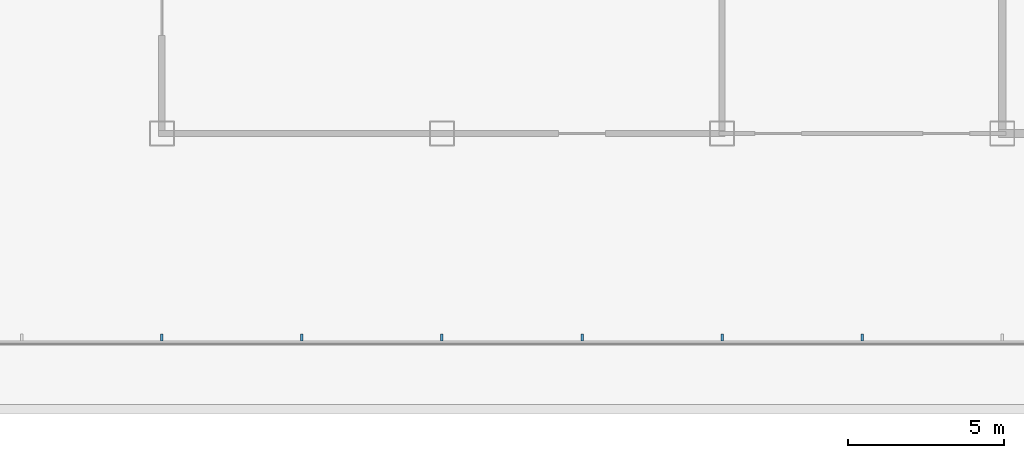
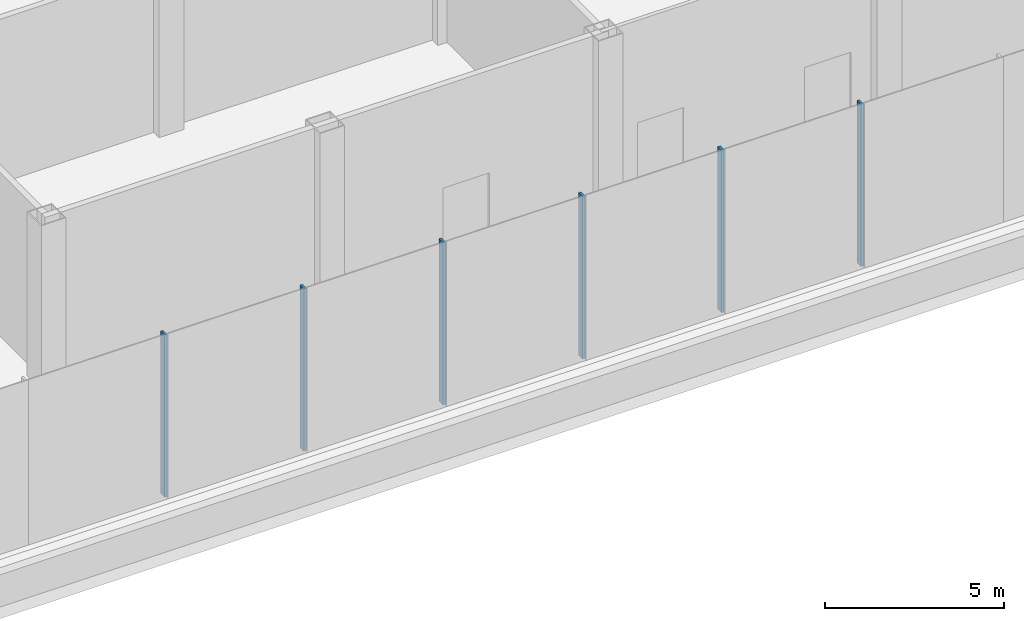
# One storey, part 4 of 38: 6 members, 1 element without a shape of its own.
"""IFC4 building model written with IfcOpenShell, lengths in metres."""

from ifc_helpers import new_model, si_unit, direction, frame, origin, origin_2d, place, context, subcontext, project, spatial, rectangle, extrude, material, layer, layer_set, material_profile, profile_set, type_object, element, aggregate, save


model = new_model("IFC4")

# Units and contexts
model_context = context("Model", 3, precision=1e-05, world=origin(), true_north=direction((0.0, 1.0)))
body_context = subcontext(model_context, "Body", "Model", "MODEL_VIEW")
ifc_project = project(units=[si_unit("LENGTHUNIT", "METRE"), si_unit("AREAUNIT", "SQUARE_METRE"), si_unit("VOLUMEUNIT", "CUBIC_METRE"), si_unit("PLANEANGLEUNIT", "RADIAN"), si_unit("MASSUNIT", "GRAM", prefix="KILO")], contexts=[model_context])

# Site, building, storey
site_placement = place(None, origin())
site = spatial("IfcSite", under=ifc_project, at=site_placement, CompositionType="ELEMENT")
building_placement = place(site_placement, origin())
building = spatial("IfcBuilding", under=site, at=building_placement, Name="Shamsa Quay Exchange Towers", CompositionType="ELEMENT")
storey_placement = place(building_placement, frame((0.0, 0.0, 12.5)))
storey = spatial("IfcBuildingStorey", under=building, at=storey_placement, Name="L02", CompositionType="ELEMENT", Elevation=12.5)

# Curtain wall, members
ifc_material = material(Name="Aluminium EN AW-6063 T6, black anodised", Category="aluminium")
ifc_layer = layer(ifc_material, 0.33203125)
ifc_layer_set = layer_set([ifc_layer], Name="CW-3 PODIUM SHOPFRONT GLAZING")
curtain_wall_type = type_object("IfcCurtainWallType", Name="CW-3 PODIUM SHOPFRONT GLAZING", PredefinedType="NOTDEFINED", material=ifc_layer_set)
curtain_wall_placement = place(storey_placement, origin())
curtain_wall = element("IfcCurtainWall", 1, at=curtain_wall_placement, inside=storey, type_object=curtain_wall_type, Name="CW3 PODIUM-L02-F03", PredefinedType="NOTDEFINED")
ifc_material_profile = material_profile(ifc_material, rectangle(XDim=0.219970703125, YDim=0.080078125, at=origin_2d()), Name="MU80x220")
ifc_profile_set = profile_set([ifc_material_profile], Name="Aluminium EN AW-6063 T6, black anodised")
member_type = type_object("IfcMemberType", Name="CW3 MULLION 80x220", PredefinedType="MULLION", material=ifc_profile_set)
member_1_placement = place(storey_placement, frame((-27.0, -35.81005859375, 0.0), z_axis=(0.0, 0.0, 1.0), x_axis=(0.0, 1.0, 0.0)))
member_1 = element("IfcMember", 2, at=member_1_placement, type_object=member_type, Name="CW3 mullion", PredefinedType="MULLION", context=body_context, shape_type="SweptSolid", body=[
    extrude(rectangle(XDim=0.219970703125, YDim=0.080078125, at=origin_2d()), origin(), (0.0, 0.0, 1.0), 5.550048828125),
])
member_2_placement = place(storey_placement, frame((-22.5, -35.81005859375, 0.0), z_axis=(0.0, 0.0, 1.0), x_axis=(0.0, 1.0, 0.0)))
member_2 = element("IfcMember", 3, at=member_2_placement, type_object=member_type, Name="CW3 mullion", PredefinedType="MULLION", context=body_context, shape_type="SweptSolid", body=[
    extrude(rectangle(XDim=0.219970703125, YDim=0.080078125, at=origin_2d()), origin(), (0.0, 0.0, 1.0), 5.550048828125),
])
member_3_placement = place(storey_placement, frame((-18.0, -35.81005859375, 0.0), z_axis=(0.0, 0.0, 1.0), x_axis=(0.0, 1.0, 0.0)))
member_3 = element("IfcMember", 4, at=member_3_placement, type_object=member_type, Name="CW3 mullion", PredefinedType="MULLION", context=body_context, shape_type="SweptSolid", body=[
    extrude(rectangle(XDim=0.219970703125, YDim=0.080078125, at=origin_2d()), origin(), (0.0, 0.0, 1.0), 5.550048828125),
])
member_4_placement = place(storey_placement, frame((-13.5, -35.81005859375, 0.0), z_axis=(0.0, 0.0, 1.0), x_axis=(0.0, 1.0, 0.0)))
member_4 = element("IfcMember", 5, at=member_4_placement, type_object=member_type, Name="CW3 mullion", PredefinedType="MULLION", context=body_context, shape_type="SweptSolid", body=[
    extrude(rectangle(XDim=0.219970703125, YDim=0.080078125, at=origin_2d()), origin(), (0.0, 0.0, 1.0), 5.550048828125),
])
member_5_placement = place(storey_placement, frame((-9.0, -35.81005859375, 0.0), z_axis=(0.0, 0.0, 1.0), x_axis=(0.0, 1.0, 0.0)))
member_5 = element("IfcMember", 6, at=member_5_placement, type_object=member_type, Name="CW3 mullion", PredefinedType="MULLION", context=body_context, shape_type="SweptSolid", body=[
    extrude(rectangle(XDim=0.219970703125, YDim=0.080078125, at=origin_2d()), origin(), (0.0, 0.0, 1.0), 5.550048828125),
])
member_6_placement = place(storey_placement, frame((-4.5, -35.81005859375, 0.0), z_axis=(0.0, 0.0, 1.0), x_axis=(0.0, 1.0, 0.0)))
member_6 = element("IfcMember", 7, at=member_6_placement, type_object=member_type, Name="CW3 mullion", PredefinedType="MULLION", context=body_context, shape_type="SweptSolid", body=[
    extrude(rectangle(XDim=0.219970703125, YDim=0.080078125, at=origin_2d()), origin(), (0.0, 0.0, 1.0), 5.550048828125),
])
aggregate(curtain_wall, [member_1, member_2, member_3, member_4, member_5, member_6])

save(model, "model.ifc")
